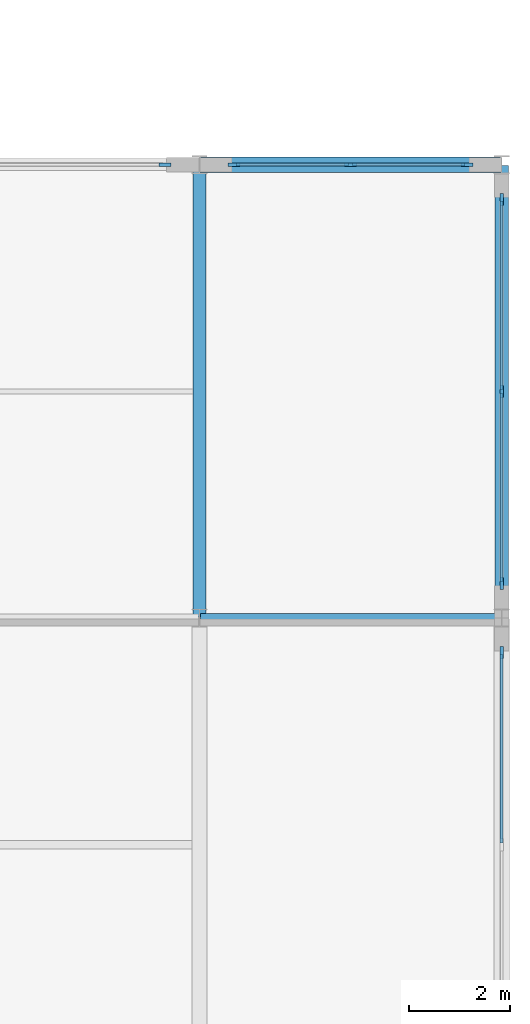
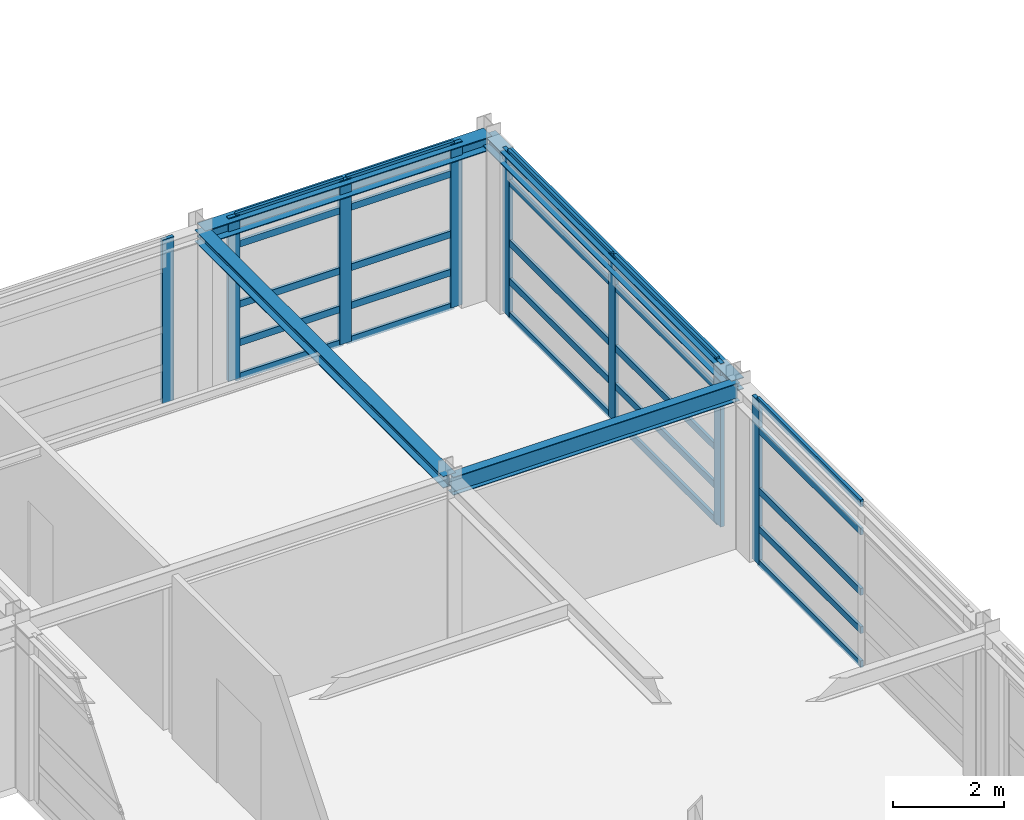
# One storey, part 46 of 79: 33 members, 4 beams, 4 elements without a shape of their own.
"""IFC4 building model written with IfcOpenShell, lengths in metres."""

from ifc_helpers import new_model, si_unit, direction, frame, origin, origin_2d, place, context, subcontext, project, spatial, rectangle, i_section, extrude, material, material_profile, profile_set, type_object, element, aggregate, save


model = new_model("IFC4")

# Units and contexts
model_context = context("Model", 3, precision=1e-05, world=origin(), true_north=direction((0.0, 1.0)))
body_context = subcontext(model_context, "Body", "Model", "MODEL_VIEW")
ifc_project = project(units=[si_unit("LENGTHUNIT", "METRE"), si_unit("AREAUNIT", "SQUARE_METRE"), si_unit("VOLUMEUNIT", "CUBIC_METRE"), si_unit("PLANEANGLEUNIT", "RADIAN"), si_unit("MASSUNIT", "GRAM", prefix="KILO")], contexts=[model_context])

# Site, building, storey
site_placement = place(None, origin())
site = spatial("IfcSite", under=ifc_project, at=site_placement, CompositionType="ELEMENT")
building_placement = place(site_placement, origin())
building = spatial("IfcBuilding", under=site, at=building_placement, Name="Palais des Congres Ocreval", CompositionType="ELEMENT")
storey_placement = place(building_placement, frame((0.0, 0.0, 4.320068359375)))
storey = spatial("IfcBuildingStorey", under=building, at=storey_placement, Name="L01", CompositionType="ELEMENT", Elevation=4.320068359375)

# Beam
ifc_material_1 = material(Name="Steel S355", Category="steel")
ifc_material_profile_1 = material_profile(ifc_material_1, i_section(OverallWidth=0.179931640625, OverallDepth=0.39990234375, WebThickness=0.008544921875, FlangeThickness=0.013427734375, at=origin_2d()), Name="IPE 400")
ifc_profile_set_1 = profile_set([ifc_material_profile_1], Name="Steel S355")
beam_type_1 = type_object("IfcBeamType", Name="Composite Beam IPE 400 Steel S355", PredefinedType="BEAM", material=ifc_profile_set_1)
beam_1_placement = place(storey_placement, frame((162.02001953125, 36.0, 3.3798828125), z_axis=(1.0, 0.0, 0.0), x_axis=(0.0, 1.0, 0.0)))
element("IfcBeam", 1, at=beam_1_placement, inside=storey, type_object=beam_type_1, Name="Beam B02 L01", PredefinedType="BEAM", context=body_context, shape_type="SweptSolid", body=[
    extrude(i_section(OverallWidth=0.179931640625, OverallDepth=0.39990234375, WebThickness=0.008544921875, FlangeThickness=0.013427734375, at=origin_2d()), origin(), (0.0, 0.0, 1.0), 5.9599609375),
])

# Curtain wall, member
ifc_material_2 = material(Name="Anodized bronze aluminium and low-E glass", Category="glass")
curtain_wall_type_1 = type_object("IfcCurtainWallType", Name="Unitised Curtain Wall 7900x3660", PredefinedType="USERDEFINED", material=ifc_material_2)
curtain_wall_1_placement = place(storey_placement, origin())
curtain_wall_1 = element("IfcCurtainWall", 2, at=curtain_wall_1_placement, inside=storey, type_object=curtain_wall_type_1, Name="Unitised Curtain Wall CW02 L01", ObjectType="UNITISED CURTAIN WALL", PredefinedType="USERDEFINED")
ifc_material_3 = material(Name="Anodized bronze aluminium", Category="aluminium")
ifc_material_profile_2 = material_profile(ifc_material_3, rectangle(XDim=0.074951171875, YDim=0.239990234375, at=origin_2d()), Name="ALU 75x240")
ifc_profile_set_2 = profile_set([ifc_material_profile_2], Name="Anodized bronze aluminium")
member_type_1 = type_object("IfcMemberType", Name="Curtain Wall Mullion ALU 75x240", PredefinedType="MULLION", material=ifc_profile_set_2)
member_1_placement = place(storey_placement, frame((161.3125, 45.0, 0.0), z_axis=(0.0, 0.0, 1.0), x_axis=(0.0, 1.0, 0.0)))
member_1 = element("IfcMember", 3, at=member_1_placement, type_object=member_type_1, Name="Curtain Wall Mullion ML01", PredefinedType="MULLION", context=body_context, shape_type="SweptSolid", body=[
    extrude(rectangle(XDim=0.074951171875, YDim=0.239990234375, at=origin_2d()), origin(), (0.0, 0.0, 1.0), 3.599853515625),
])
aggregate(curtain_wall_1, [member_1])

# Curtain wall, members
curtain_wall_type_2 = type_object("IfcCurtainWallType", Name="Unitised Curtain Wall 4900x3120", PredefinedType="USERDEFINED", material=ifc_material_2)
curtain_wall_2_placement = place(storey_placement, origin())
curtain_wall_2 = element("IfcCurtainWall", 4, at=curtain_wall_2_placement, inside=storey, type_object=curtain_wall_type_2, Name="Unitised Curtain Wall CW09 L01", ObjectType="UNITISED CURTAIN WALL", PredefinedType="USERDEFINED")
member_2_placement = place(storey_placement, frame((162.6875, 45.0, 0.0), z_axis=(0.0, 0.0, 1.0), x_axis=(0.0, 1.0, 0.0)))
member_2 = element("IfcMember", 5, at=member_2_placement, type_object=member_type_1, Name="Curtain Wall Mullion ML01", PredefinedType="MULLION", context=body_context, shape_type="SweptSolid", body=[
    extrude(rectangle(XDim=0.074951171875, YDim=0.239990234375, at=origin_2d()), origin(), (0.0, 0.0, 1.0), 3.599853515625),
])
member_3_placement = place(storey_placement, frame((165.0, 45.0, 0.0), z_axis=(0.0, 0.0, 1.0), x_axis=(0.0, 1.0, 0.0)))
member_3 = element("IfcMember", 6, at=member_3_placement, type_object=member_type_1, Name="Curtain Wall Mullion ML01", PredefinedType="MULLION", context=body_context, shape_type="SweptSolid", body=[
    extrude(rectangle(XDim=0.074951171875, YDim=0.239990234375, at=origin_2d()), origin(), (0.0, 0.0, 1.0), 3.599853515625),
])
member_4_placement = place(storey_placement, frame((167.3125, 45.0, 0.0), z_axis=(0.0, 0.0, 1.0), x_axis=(0.0, 1.0, 0.0)))
member_4 = element("IfcMember", 7, at=member_4_placement, type_object=member_type_1, Name="Curtain Wall Mullion ML01", PredefinedType="MULLION", context=body_context, shape_type="SweptSolid", body=[
    extrude(rectangle(XDim=0.074951171875, YDim=0.239990234375, at=origin_2d()), origin(), (0.0, 0.0, 1.0), 3.599853515625),
])

curtain_wall_3_placement = place(storey_placement, origin())
curtain_wall_3 = element("IfcCurtainWall", 8, at=curtain_wall_3_placement, inside=storey, type_object=curtain_wall_type_1, Name="Unitised Curtain Wall CW02 L01", ObjectType="UNITISED CURTAIN WALL", PredefinedType="USERDEFINED")
member_5_placement = place(storey_placement, frame((168.0, 44.3125, 0.0), z_axis=(0.0, 0.0, 1.0), x_axis=(1.0, 0.0, 0.0)))
member_5 = element("IfcMember", 9, at=member_5_placement, type_object=member_type_1, Name="Curtain Wall Mullion ML01", PredefinedType="MULLION", context=body_context, shape_type="SweptSolid", body=[
    extrude(rectangle(XDim=0.074951171875, YDim=0.239990234375, at=origin_2d()), origin(), (0.0, 0.0, 1.0), 3.599853515625),
])
member_6_placement = place(storey_placement, frame((168.0, 40.5, 0.0), z_axis=(0.0, 0.0, 1.0), x_axis=(1.0, 0.0, 0.0)))
member_6 = element("IfcMember", 10, at=member_6_placement, type_object=member_type_1, Name="Curtain Wall Mullion ML01", PredefinedType="MULLION", context=body_context, shape_type="SweptSolid", body=[
    extrude(rectangle(XDim=0.074951171875, YDim=0.239990234375, at=origin_2d()), origin(), (0.0, 0.0, 1.0), 3.599853515625),
])
member_7_placement = place(storey_placement, frame((168.0, 36.6875, 0.0), z_axis=(0.0, 0.0, 1.0), x_axis=(1.0, 0.0, 0.0)))
member_7 = element("IfcMember", 11, at=member_7_placement, type_object=member_type_1, Name="Curtain Wall Mullion ML01", PredefinedType="MULLION", context=body_context, shape_type="SweptSolid", body=[
    extrude(rectangle(XDim=0.074951171875, YDim=0.239990234375, at=origin_2d()), origin(), (0.0, 0.0, 1.0), 3.599853515625),
])

# Curtain wall, member
curtain_wall_4_placement = place(storey_placement, origin())
curtain_wall_4 = element("IfcCurtainWall", 12, at=curtain_wall_4_placement, inside=storey, type_object=curtain_wall_type_1, Name="Unitised Curtain Wall CW02 L01", ObjectType="UNITISED CURTAIN WALL", PredefinedType="USERDEFINED")
member_8_placement = place(storey_placement, frame((168.0, 35.3125, 0.0), z_axis=(0.0, 0.0, 1.0), x_axis=(1.0, 0.0, 0.0)))
member_8 = element("IfcMember", 13, at=member_8_placement, type_object=member_type_1, Name="Curtain Wall Mullion ML01", PredefinedType="MULLION", context=body_context, shape_type="SweptSolid", body=[
    extrude(rectangle(XDim=0.074951171875, YDim=0.239990234375, at=origin_2d()), origin(), (0.0, 0.0, 1.0), 3.599853515625),
])

# Member
ifc_material_profile_3 = material_profile(ifc_material_3, rectangle(XDim=0.06005859375, YDim=0.14990234375, at=origin_2d()), Name="ALU 60x150")
ifc_profile_set_3 = profile_set([ifc_material_profile_3], Name="Anodized bronze aluminium")
member_type_2 = type_object("IfcMemberType", Name="Curtain Wall Transom ALU 60x150", PredefinedType="USERDEFINED", material=ifc_profile_set_3)
member_9_placement = place(storey_placement, frame((162.72509765625, 45.0, 0.030029296875), z_axis=(1.0, 0.0, 0.0), x_axis=(0.0, 1.0, 0.0)))
member_9 = element("IfcMember", 14, at=member_9_placement, type_object=member_type_2, Name="Curtain Wall Transom TR01", ObjectType="TRANSOM", PredefinedType="USERDEFINED", context=body_context, shape_type="SweptSolid", body=[
    extrude(rectangle(XDim=0.06005859375, YDim=0.14990234375, at=origin_2d()), origin(), (0.0, 0.0, 1.0), 2.2373046875),
])

member_10_placement = place(storey_placement, frame((162.72509765625, 45.0, 0.780029296875), z_axis=(1.0, 0.0, 0.0), x_axis=(0.0, 1.0, 0.0)))
member_10 = element("IfcMember", 15, at=member_10_placement, type_object=member_type_2, Name="Curtain Wall Transom TR01", ObjectType="TRANSOM", PredefinedType="USERDEFINED", context=body_context, shape_type="SweptSolid", body=[
    extrude(rectangle(XDim=0.06005859375, YDim=0.14990234375, at=origin_2d()), origin(), (0.0, 0.0, 1.0), 2.2373046875),
])

member_11_placement = place(storey_placement, frame((162.72509765625, 45.0, 1.622314453125), z_axis=(1.0, 0.0, 0.0), x_axis=(0.0, 1.0, 0.0)))
member_11 = element("IfcMember", 16, at=member_11_placement, type_object=member_type_2, Name="Curtain Wall Transom TR01", ObjectType="TRANSOM", PredefinedType="USERDEFINED", context=body_context, shape_type="SweptSolid", body=[
    extrude(rectangle(XDim=0.06005859375, YDim=0.14990234375, at=origin_2d()), origin(), (0.0, 0.0, 1.0), 2.2373046875),
])

member_12_placement = place(storey_placement, frame((162.72509765625, 45.0, 2.949951171875), z_axis=(1.0, 0.0, 0.0), x_axis=(0.0, 1.0, 0.0)))
member_12 = element("IfcMember", 17, at=member_12_placement, type_object=member_type_2, Name="Curtain Wall Transom TR01", ObjectType="TRANSOM", PredefinedType="USERDEFINED", context=body_context, shape_type="SweptSolid", body=[
    extrude(rectangle(XDim=0.06005859375, YDim=0.14990234375, at=origin_2d()), origin(), (0.0, 0.0, 1.0), 2.2373046875),
])

member_13_placement = place(storey_placement, frame((162.72509765625, 45.0, 3.56982421875), z_axis=(1.0, 0.0, 0.0), x_axis=(0.0, 1.0, 0.0)))
member_13 = element("IfcMember", 18, at=member_13_placement, type_object=member_type_2, Name="Curtain Wall Transom TR01", ObjectType="TRANSOM", PredefinedType="USERDEFINED", context=body_context, shape_type="SweptSolid", body=[
    extrude(rectangle(XDim=0.06005859375, YDim=0.14990234375, at=origin_2d()), origin(), (0.0, 0.0, 1.0), 2.2373046875),
])

member_14_placement = place(storey_placement, frame((165.03759765625, 45.0, 0.030029296875), z_axis=(1.0, 0.0, 0.0), x_axis=(0.0, 1.0, 0.0)))
member_14 = element("IfcMember", 19, at=member_14_placement, type_object=member_type_2, Name="Curtain Wall Transom TR01", ObjectType="TRANSOM", PredefinedType="USERDEFINED", context=body_context, shape_type="SweptSolid", body=[
    extrude(rectangle(XDim=0.06005859375, YDim=0.14990234375, at=origin_2d()), origin(), (0.0, 0.0, 1.0), 2.2373046875),
])

member_15_placement = place(storey_placement, frame((165.03759765625, 45.0, 0.780029296875), z_axis=(1.0, 0.0, 0.0), x_axis=(0.0, 1.0, 0.0)))
member_15 = element("IfcMember", 20, at=member_15_placement, type_object=member_type_2, Name="Curtain Wall Transom TR01", ObjectType="TRANSOM", PredefinedType="USERDEFINED", context=body_context, shape_type="SweptSolid", body=[
    extrude(rectangle(XDim=0.06005859375, YDim=0.14990234375, at=origin_2d()), origin(), (0.0, 0.0, 1.0), 2.2373046875),
])

member_16_placement = place(storey_placement, frame((165.03759765625, 45.0, 1.622314453125), z_axis=(1.0, 0.0, 0.0), x_axis=(0.0, 1.0, 0.0)))
member_16 = element("IfcMember", 21, at=member_16_placement, type_object=member_type_2, Name="Curtain Wall Transom TR01", ObjectType="TRANSOM", PredefinedType="USERDEFINED", context=body_context, shape_type="SweptSolid", body=[
    extrude(rectangle(XDim=0.06005859375, YDim=0.14990234375, at=origin_2d()), origin(), (0.0, 0.0, 1.0), 2.2373046875),
])

member_17_placement = place(storey_placement, frame((165.03759765625, 45.0, 2.949951171875), z_axis=(1.0, 0.0, 0.0), x_axis=(0.0, 1.0, 0.0)))
member_17 = element("IfcMember", 22, at=member_17_placement, type_object=member_type_2, Name="Curtain Wall Transom TR01", ObjectType="TRANSOM", PredefinedType="USERDEFINED", context=body_context, shape_type="SweptSolid", body=[
    extrude(rectangle(XDim=0.06005859375, YDim=0.14990234375, at=origin_2d()), origin(), (0.0, 0.0, 1.0), 2.2373046875),
])

member_18_placement = place(storey_placement, frame((165.03759765625, 45.0, 3.56982421875), z_axis=(1.0, 0.0, 0.0), x_axis=(0.0, 1.0, 0.0)))
member_18 = element("IfcMember", 23, at=member_18_placement, type_object=member_type_2, Name="Curtain Wall Transom TR01", ObjectType="TRANSOM", PredefinedType="USERDEFINED", context=body_context, shape_type="SweptSolid", body=[
    extrude(rectangle(XDim=0.06005859375, YDim=0.14990234375, at=origin_2d()), origin(), (0.0, 0.0, 1.0), 2.2373046875),
])

aggregate(curtain_wall_2, [member_2, member_3, member_4, member_9, member_10, member_11, member_12, member_13, member_14, member_15, member_16, member_17, member_18])

member_19_placement = place(storey_placement, frame((168.0, 44.27490234375, 0.030029296875), z_axis=(0.0, -1.0, 0.0), x_axis=(1.0, 0.0, 0.0)))
member_19 = element("IfcMember", 24, at=member_19_placement, type_object=member_type_2, Name="Curtain Wall Transom TR01", ObjectType="TRANSOM", PredefinedType="USERDEFINED", context=body_context, shape_type="SweptSolid", body=[
    extrude(rectangle(XDim=0.06005859375, YDim=0.14990234375, at=origin_2d()), origin(), (0.0, 0.0, 1.0), 3.7373046875),
])

member_20_placement = place(storey_placement, frame((168.0, 44.27490234375, 0.780029296875), z_axis=(0.0, -1.0, 0.0), x_axis=(1.0, 0.0, 0.0)))
member_20 = element("IfcMember", 25, at=member_20_placement, type_object=member_type_2, Name="Curtain Wall Transom TR01", ObjectType="TRANSOM", PredefinedType="USERDEFINED", context=body_context, shape_type="SweptSolid", body=[
    extrude(rectangle(XDim=0.06005859375, YDim=0.14990234375, at=origin_2d()), origin(), (0.0, 0.0, 1.0), 3.7373046875),
])

member_21_placement = place(storey_placement, frame((168.0, 44.27490234375, 1.622314453125), z_axis=(0.0, -1.0, 0.0), x_axis=(1.0, 0.0, 0.0)))
member_21 = element("IfcMember", 26, at=member_21_placement, type_object=member_type_2, Name="Curtain Wall Transom TR01", ObjectType="TRANSOM", PredefinedType="USERDEFINED", context=body_context, shape_type="SweptSolid", body=[
    extrude(rectangle(XDim=0.06005859375, YDim=0.14990234375, at=origin_2d()), origin(), (0.0, 0.0, 1.0), 3.7373046875),
])

member_22_placement = place(storey_placement, frame((168.0, 44.27490234375, 2.949951171875), z_axis=(0.0, -1.0, 0.0), x_axis=(1.0, 0.0, 0.0)))
member_22 = element("IfcMember", 27, at=member_22_placement, type_object=member_type_2, Name="Curtain Wall Transom TR01", ObjectType="TRANSOM", PredefinedType="USERDEFINED", context=body_context, shape_type="SweptSolid", body=[
    extrude(rectangle(XDim=0.06005859375, YDim=0.14990234375, at=origin_2d()), origin(), (0.0, 0.0, 1.0), 3.7373046875),
])

member_23_placement = place(storey_placement, frame((168.0, 44.27490234375, 3.56982421875), z_axis=(0.0, -1.0, 0.0), x_axis=(1.0, 0.0, 0.0)))
member_23 = element("IfcMember", 28, at=member_23_placement, type_object=member_type_2, Name="Curtain Wall Transom TR01", ObjectType="TRANSOM", PredefinedType="USERDEFINED", context=body_context, shape_type="SweptSolid", body=[
    extrude(rectangle(XDim=0.06005859375, YDim=0.14990234375, at=origin_2d()), origin(), (0.0, 0.0, 1.0), 3.7373046875),
])

member_24_placement = place(storey_placement, frame((168.0, 40.46240234375, 0.030029296875), z_axis=(0.0, -1.0, 0.0), x_axis=(1.0, 0.0, 0.0)))
member_24 = element("IfcMember", 29, at=member_24_placement, type_object=member_type_2, Name="Curtain Wall Transom TR01", ObjectType="TRANSOM", PredefinedType="USERDEFINED", context=body_context, shape_type="SweptSolid", body=[
    extrude(rectangle(XDim=0.06005859375, YDim=0.14990234375, at=origin_2d()), origin(), (0.0, 0.0, 1.0), 3.7373046875),
])

member_25_placement = place(storey_placement, frame((168.0, 40.46240234375, 0.780029296875), z_axis=(0.0, -1.0, 0.0), x_axis=(1.0, 0.0, 0.0)))
member_25 = element("IfcMember", 30, at=member_25_placement, type_object=member_type_2, Name="Curtain Wall Transom TR01", ObjectType="TRANSOM", PredefinedType="USERDEFINED", context=body_context, shape_type="SweptSolid", body=[
    extrude(rectangle(XDim=0.06005859375, YDim=0.14990234375, at=origin_2d()), origin(), (0.0, 0.0, 1.0), 3.7373046875),
])

member_26_placement = place(storey_placement, frame((168.0, 40.46240234375, 1.622314453125), z_axis=(0.0, -1.0, 0.0), x_axis=(1.0, 0.0, 0.0)))
member_26 = element("IfcMember", 31, at=member_26_placement, type_object=member_type_2, Name="Curtain Wall Transom TR01", ObjectType="TRANSOM", PredefinedType="USERDEFINED", context=body_context, shape_type="SweptSolid", body=[
    extrude(rectangle(XDim=0.06005859375, YDim=0.14990234375, at=origin_2d()), origin(), (0.0, 0.0, 1.0), 3.7373046875),
])

member_27_placement = place(storey_placement, frame((168.0, 40.46240234375, 2.949951171875), z_axis=(0.0, -1.0, 0.0), x_axis=(1.0, 0.0, 0.0)))
member_27 = element("IfcMember", 32, at=member_27_placement, type_object=member_type_2, Name="Curtain Wall Transom TR01", ObjectType="TRANSOM", PredefinedType="USERDEFINED", context=body_context, shape_type="SweptSolid", body=[
    extrude(rectangle(XDim=0.06005859375, YDim=0.14990234375, at=origin_2d()), origin(), (0.0, 0.0, 1.0), 3.7373046875),
])

member_28_placement = place(storey_placement, frame((168.0, 40.46240234375, 3.56982421875), z_axis=(0.0, -1.0, 0.0), x_axis=(1.0, 0.0, 0.0)))
member_28 = element("IfcMember", 33, at=member_28_placement, type_object=member_type_2, Name="Curtain Wall Transom TR01", ObjectType="TRANSOM", PredefinedType="USERDEFINED", context=body_context, shape_type="SweptSolid", body=[
    extrude(rectangle(XDim=0.06005859375, YDim=0.14990234375, at=origin_2d()), origin(), (0.0, 0.0, 1.0), 3.7373046875),
])

aggregate(curtain_wall_3, [member_5, member_6, member_7, member_19, member_20, member_21, member_22, member_23, member_24, member_25, member_26, member_27, member_28])

member_29_placement = place(storey_placement, frame((168.0, 35.27490234375, 0.030029296875), z_axis=(0.0, -1.0, 0.0), x_axis=(1.0, 0.0, 0.0)))
member_29 = element("IfcMember", 34, at=member_29_placement, type_object=member_type_2, Name="Curtain Wall Transom TR01", ObjectType="TRANSOM", PredefinedType="USERDEFINED", context=body_context, shape_type="SweptSolid", body=[
    extrude(rectangle(XDim=0.06005859375, YDim=0.14990234375, at=origin_2d()), origin(), (0.0, 0.0, 1.0), 3.7373046875),
])

member_30_placement = place(storey_placement, frame((168.0, 35.27490234375, 0.780029296875), z_axis=(0.0, -1.0, 0.0), x_axis=(1.0, 0.0, 0.0)))
member_30 = element("IfcMember", 35, at=member_30_placement, type_object=member_type_2, Name="Curtain Wall Transom TR01", ObjectType="TRANSOM", PredefinedType="USERDEFINED", context=body_context, shape_type="SweptSolid", body=[
    extrude(rectangle(XDim=0.06005859375, YDim=0.14990234375, at=origin_2d()), origin(), (0.0, 0.0, 1.0), 3.7373046875),
])

member_31_placement = place(storey_placement, frame((168.0, 35.27490234375, 1.622314453125), z_axis=(0.0, -1.0, 0.0), x_axis=(1.0, 0.0, 0.0)))
member_31 = element("IfcMember", 36, at=member_31_placement, type_object=member_type_2, Name="Curtain Wall Transom TR01", ObjectType="TRANSOM", PredefinedType="USERDEFINED", context=body_context, shape_type="SweptSolid", body=[
    extrude(rectangle(XDim=0.06005859375, YDim=0.14990234375, at=origin_2d()), origin(), (0.0, 0.0, 1.0), 3.7373046875),
])

member_32_placement = place(storey_placement, frame((168.0, 35.27490234375, 2.949951171875), z_axis=(0.0, -1.0, 0.0), x_axis=(1.0, 0.0, 0.0)))
member_32 = element("IfcMember", 37, at=member_32_placement, type_object=member_type_2, Name="Curtain Wall Transom TR01", ObjectType="TRANSOM", PredefinedType="USERDEFINED", context=body_context, shape_type="SweptSolid", body=[
    extrude(rectangle(XDim=0.06005859375, YDim=0.14990234375, at=origin_2d()), origin(), (0.0, 0.0, 1.0), 3.7373046875),
])

member_33_placement = place(storey_placement, frame((168.0, 35.27490234375, 3.56982421875), z_axis=(0.0, -1.0, 0.0), x_axis=(1.0, 0.0, 0.0)))
member_33 = element("IfcMember", 38, at=member_33_placement, type_object=member_type_2, Name="Curtain Wall Transom TR01", ObjectType="TRANSOM", PredefinedType="USERDEFINED", context=body_context, shape_type="SweptSolid", body=[
    extrude(rectangle(XDim=0.06005859375, YDim=0.14990234375, at=origin_2d()), origin(), (0.0, 0.0, 1.0), 3.7373046875),
])

aggregate(curtain_wall_4, [member_8, member_29, member_30, member_31, member_32, member_33])

# Beams
ifc_material_profile_4 = material_profile(ifc_material_1, i_section(OverallWidth=0.260009765625, OverallDepth=0.260009765625, WebThickness=0.010009765625, FlangeThickness=0.017578125, at=origin_2d()), Name="HEB 260")
ifc_profile_set_4 = profile_set([ifc_material_profile_4], Name="Steel S355")
beam_type_2 = type_object("IfcBeamType", Name="Opening Lintel HEB 260 Steel S355", PredefinedType="LINTEL", material=ifc_profile_set_4)
for number, where, z_axis, x_axis, name in (
    (39, (162.0, 36.02001953125, 3.449951171875), (0.0, 1.0, 0.0), (-1.0, 0.0, 0.0), "Girder LN01 L01"),
    (40, (168.0, 36.02001953125, 3.449951171875), (0.0, 1.0, 0.0), (-1.0, 0.0, 0.0), "Girder LN01 L01"),
):
    element("IfcBeam", number, at=place(storey_placement, frame(where, z_axis=z_axis, x_axis=x_axis)), inside=storey, type_object=beam_type_2, Name=name, PredefinedType="LINTEL", context=body_context, shape_type="SweptSolid", body=[
        extrude(i_section(OverallWidth=0.260009765625, OverallDepth=0.260009765625, WebThickness=0.010009765625, FlangeThickness=0.017578125, at=origin_2d()), origin(), (0.0, 0.0, 1.0), 8.9599609375),
    ])
ifc_material_profile_5 = material_profile(ifc_material_1, i_section(OverallWidth=0.300048828125, OverallDepth=0.300048828125, WebThickness=0.010986328125, FlangeThickness=0.01904296875, at=origin_2d()), Name="HEB 300")
ifc_profile_set_5 = profile_set([ifc_material_profile_5], Name="Steel S355")
beam_type_3 = type_object("IfcBeamType", Name="Perimeter Spandrel HEB 300 Steel S355", PredefinedType="SPANDREL", material=ifc_profile_set_5)
beam_2_placement = place(storey_placement, frame((162.02001953125, 45.0, 3.429931640625), z_axis=(1.0, 0.0, 0.0), x_axis=(0.0, 1.0, 0.0)))
element("IfcBeam", 41, at=beam_2_placement, inside=storey, type_object=beam_type_3, Name="Beam SP02 L01", PredefinedType="SPANDREL", context=body_context, shape_type="SweptSolid", body=[
    extrude(i_section(OverallWidth=0.300048828125, OverallDepth=0.300048828125, WebThickness=0.010986328125, FlangeThickness=0.01904296875, at=origin_2d()), origin(), (0.0, 0.0, 1.0), 5.9599609375),
])

save(model, "model.ifc")
